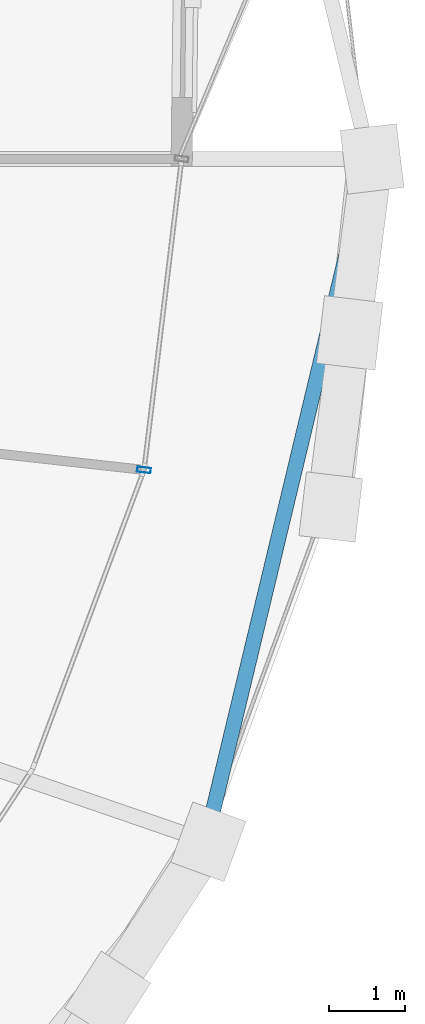
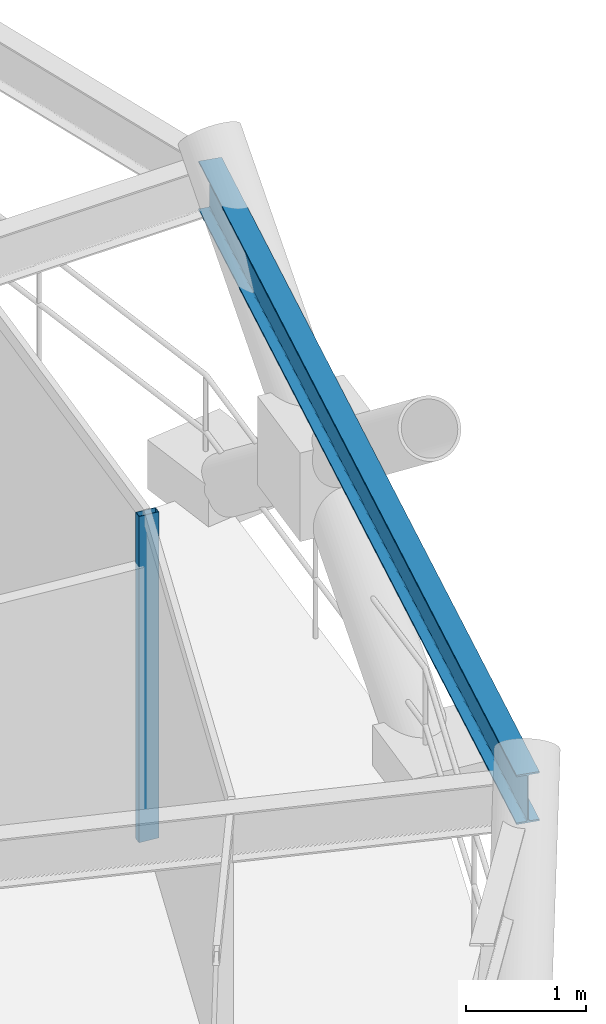
# One storey, part 9 of 21: 1 beam, 1 member, 1 element without a shape of its own.
"""IFC4 building model written with IfcOpenShell, lengths in metres."""

from ifc_helpers import new_model, si_unit, direction, frame, origin, origin_2d, place, context, subcontext, project, spatial, hollow_rectangle, i_section, extrude, material, layer, layer_set, material_profile, profile_set, type_object, element, aggregate, save


model = new_model("IFC4")

# Units and contexts
model_context = context("Model", 3, precision=1e-05, world=origin(), true_north=direction((0.0, 1.0)))
body_context = subcontext(model_context, "Body", "Model", "MODEL_VIEW")
ifc_project = project(units=[si_unit("LENGTHUNIT", "METRE"), si_unit("AREAUNIT", "SQUARE_METRE"), si_unit("VOLUMEUNIT", "CUBIC_METRE"), si_unit("PLANEANGLEUNIT", "RADIAN"), si_unit("MASSUNIT", "GRAM", prefix="KILO")], contexts=[model_context])

# Site, building, storey
site_placement = place(None, origin())
site = spatial("IfcSite", under=ifc_project, at=site_placement, CompositionType="ELEMENT")
building_placement = place(site_placement, origin())
building = spatial("IfcBuilding", under=site, at=building_placement, Name="Veldorina Hangang Commons", CompositionType="ELEMENT")
storey_placement = place(building_placement, frame((0.0, 0.0, 138.800048828125)))
storey = spatial("IfcBuildingStorey", under=building, at=storey_placement, Name="L35", CompositionType="ELEMENT", Elevation=138.800048828125)

# Beam
ifc_material_1 = material(Name="Steel SM420-TMC", Category="steel")
ifc_material_profile_1 = material_profile(ifc_material_1, i_section(OverallWidth=0.199951171875, OverallDepth=0.5, WebThickness=0.010009765625, FlangeThickness=0.01611328125, FilletRadius=0.01611328125, at=origin_2d()), Name="H-500x200x10x16")
ifc_profile_set_1 = profile_set([ifc_material_profile_1], Name="Steel SM420-TMC")
beam_type = type_object("IfcBeamType", Name="BM-RB500", PredefinedType="BEAM", material=ifc_profile_set_1)
beam_placement = place(storey_placement, frame((58.25732421875, 14.970703125, 3.099853515625), z_axis=(0.232996019854, 0.972477688552, 0.0), x_axis=(-0.972477688552, 0.232996019854, 0.0)))
element("IfcBeam", 1, at=beam_placement, inside=storey, type_object=beam_type, Name="L35 perimeter hoop ring beam 30", PredefinedType="BEAM", context=body_context, shape_type="SweptSolid", body=[
    extrude(i_section(OverallWidth=0.199951171875, OverallDepth=0.5, WebThickness=0.010009765625, FlangeThickness=0.01611328125, FilletRadius=0.01611328125, at=origin_2d()), origin(), (0.0, 0.0, 1.0), 9.284912109375),
])

# Curtain wall, member
ifc_material_2 = material(Name="Glass Low-E Triple IGU", Category="glass")
ifc_layer = layer(ifc_material_2, 0.179931640625)
ifc_layer_set = layer_set([ifc_layer], Name="Glass Low-E Triple IGU")
curtain_wall_type = type_object("IfcCurtainWallType", Name="CW-SYS-Z2", PredefinedType="NOTDEFINED", material=ifc_layer_set)
curtain_wall_placement = place(storey_placement, origin())
curtain_wall = element("IfcCurtainWall", 2, at=curtain_wall_placement, inside=storey, type_object=curtain_wall_type, Name="L35 unitised curtain wall CW-L35-R2", PredefinedType="NOTDEFINED")
ifc_material_3 = material(Name="Aluminium Anodized AA6063-T6", Category="aluminium")
ifc_material_profile_2 = material_profile(ifc_material_3, hollow_rectangle(XDim=0.070068359375, YDim=0.179931640625, WallThickness=0.00390625, at=origin_2d()), Name="ALU-RHS-180x70x4")
ifc_profile_set_2 = profile_set([ifc_material_profile_2], Name="Aluminium Anodized AA6063-T6")
member_type = type_object("IfcMemberType", Name="CW-MUL-180", PredefinedType="MULLION", material=ifc_profile_set_2)
member_placement = place(storey_placement, frame((57.43994140625, 19.88330078125, 0.0), z_axis=(0.0, 0.0, 1.0), x_axis=(0.120188819323, 0.992751050218, 0.0)))
member = element("IfcMember", 3, at=member_placement, type_object=member_type, Name="CW-L35-R2 vertical mullion 3", PredefinedType="MULLION", context=body_context, shape_type="SweptSolid", body=[
    extrude(hollow_rectangle(XDim=0.070068359375, YDim=0.179931640625, WallThickness=0.00390625, at=origin_2d()), origin(), (0.0, 0.0, 1.0), 3.31005859375),
])
aggregate(curtain_wall, [member])

save(model, "model.ifc")
